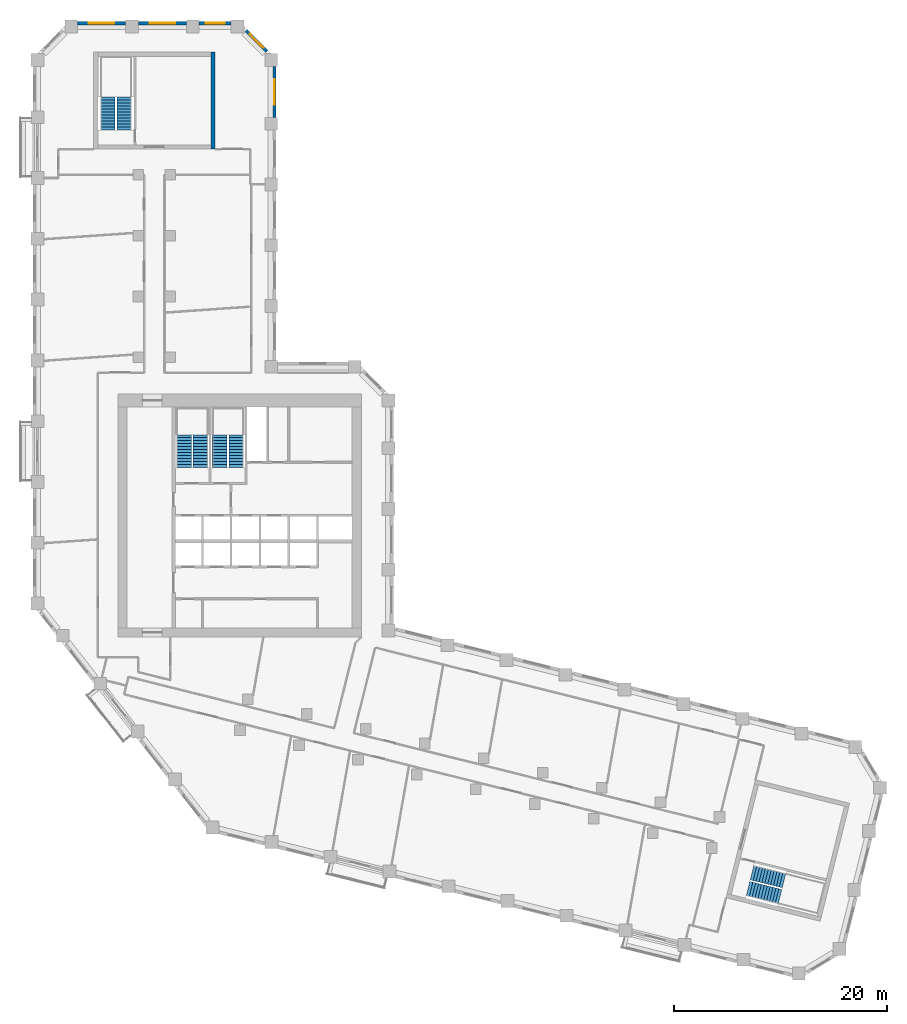
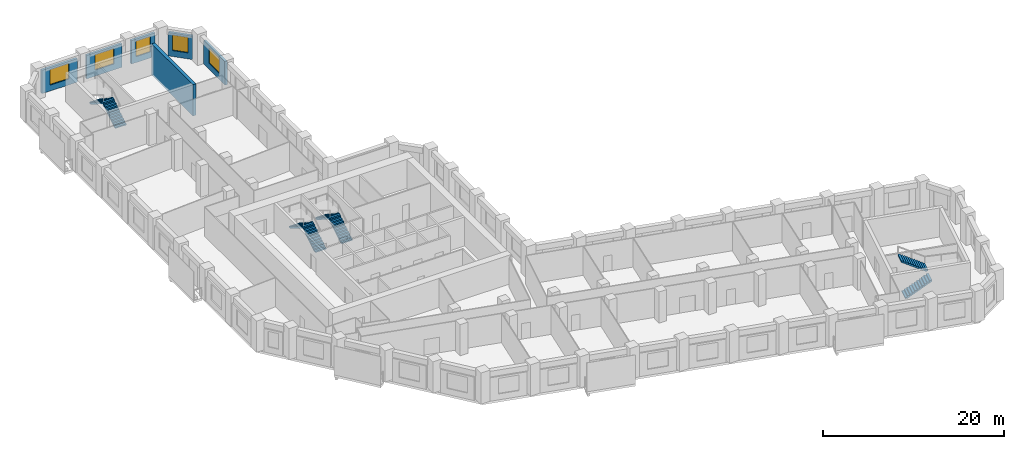
# One storey, part 9 of 10: 8 stair flights, 6 walls, 5 windows, 5 openings, 4 elements without a shape of their own.
"""IFC4 building model written with IfcOpenShell, lengths in metres."""

from ifc_helpers import new_model, si_unit, direction, frame, frame_2d, origin, place, context, subcontext, project, spatial, polyline, rectangle, outline, extrude, material, layer, layer_set, type_object, element, fill, aggregate, save


model = new_model("IFC4")

# Units and contexts
model_context = context("Model", 3, precision=1e-05, world=origin(), true_north=direction((0.0, 1.0)))
body_context = subcontext(model_context, "Body", "Model", "MODEL_VIEW")
ifc_project = project(units=[si_unit("LENGTHUNIT", "METRE"), si_unit("AREAUNIT", "SQUARE_METRE"), si_unit("VOLUMEUNIT", "CUBIC_METRE"), si_unit("PLANEANGLEUNIT", "RADIAN"), si_unit("MASSUNIT", "GRAM", prefix="KILO")], contexts=[model_context])

# Site, building, storey
site_placement = place(None, origin())
site = spatial("IfcSite", under=ifc_project, at=site_placement, CompositionType="ELEMENT")
building_placement = place(site_placement, origin())
building = spatial("IfcBuilding", under=site, at=building_placement, Name="Meshkara Civic Tower", CompositionType="ELEMENT")
storey_placement = place(building_placement, frame((0.0, 0.0, 199.199951171875)))
storey = spatial("IfcBuildingStorey", under=building, at=storey_placement, Name="L45", CompositionType="ELEMENT", Elevation=199.199951171875)

# Wall, opening, window
ifc_material_1 = material(Name="Insulated infill panel with bronze anodised aluminium cladding", Category="aluminium")
ifc_layer_1 = layer(ifc_material_1, 0.300048828125)
ifc_layer_set_1 = layer_set([ifc_layer_1], Name="EXTERNAL INFILL WALL 300")
wall_type_1 = type_object("IfcWallType", Name="EXTERNAL INFILL WALL 300", PredefinedType="SOLIDWALL", material=ifc_layer_set_1)
wall_1_placement = place(storey_placement, frame((22.64990234375, 62.85009765625, 0.0), z_axis=(0.0, 0.0, 1.0), x_axis=(0.0, 1.0, 0.0)))
wall_1 = element("IfcWall", 1, at=wall_1_placement, inside=storey, type_object=wall_type_1, Name="External wall", PredefinedType="SOLIDWALL", context=body_context, shape_type="SweptSolid", body=[
    extrude(rectangle(XDim=4.763916015625, YDim=0.300048828125, at=frame_2d((2.3818359375, 0.0))), origin(), (0.0, 0.0, 1.0), 3.150146484375),
])
opening_1_placement = place(wall_1_placement, frame((1.181884765625, 0.0, 0.800048828125)))
opening_1 = element("IfcOpeningElement", 2, at=opening_1_placement, cuts=wall_1, Name="Opening W7", PredefinedType="OPENING", context=body_context, shape_type="SweptSolid", body=[
    extrude(rectangle(XDim=2.39990234375, YDim=2.10009765625, at=frame_2d((1.199951171875, 1.050048828125))), frame((0.0, 0.159912109375, 0.0), z_axis=(0.0, -1.0, 0.0), x_axis=(1.0, 0.0, 0.0)), (0.0, 0.0, 1.0), 0.320068359375),
])
ifc_material_2 = material(Name="Tinted double glazing", Category="glass")
window_type_1 = type_object("IfcWindowType", Name="WINDOW 2400x2100", PartitioningType="DOUBLE_PANEL_VERTICAL", PredefinedType="WINDOW", material=ifc_material_2)
window_1_placement = place(opening_1_placement, origin())
window_1 = element("IfcWindow", 3, at=window_1_placement, inside=storey, type_object=window_type_1, Name="Window", OverallHeight=2.10009765625, OverallWidth=2.39990234375, PartitioningType="DOUBLE_PANEL_VERTICAL", PredefinedType="WINDOW", context=body_context, shape_type="SweptSolid", body=[
    extrude(rectangle(XDim=2.39990234375, YDim=2.10009765625, at=frame_2d((1.199951171875, 1.050048828125))), frame((0.0, 0.030029296875, 0.0), z_axis=(0.0, -1.0, 0.0), x_axis=(1.0, 0.0, 0.0)), (0.0, 0.0, 1.0), 0.06005859375),
])
fill(opening_1, window_1)

wall_2_placement = place(storey_placement, frame((21.9619140625, 69.02587890625, 0.0), z_axis=(0.0, 0.0, 1.0), x_axis=(-0.707062649074, 0.707150910545, 0.0)))
wall_2 = element("IfcWall", 4, at=wall_2_placement, inside=storey, type_object=wall_type_1, Name="External wall", PredefinedType="SOLIDWALL", context=body_context, shape_type="SweptSolid", body=[
    extrude(rectangle(XDim=2.76611328125, YDim=0.300048828125, at=frame_2d((1.383056640625, 0.0))), origin(), (0.0, 0.0, 1.0), 3.150146484375),
])
opening_2_placement = place(wall_2_placement, frame((0.48291015625, 0.0, 0.800048828125)))
opening_2 = element("IfcOpeningElement", 5, at=opening_2_placement, cuts=wall_2, Name="Opening W9", PredefinedType="OPENING", context=body_context, shape_type="SweptSolid", body=[
    extrude(rectangle(XDim=1.800048828125, YDim=2.10009765625, at=frame_2d((0.89990234375, 1.050048828125))), frame((0.0, 0.159912109375, 0.0), z_axis=(0.0, -1.0, 0.0), x_axis=(1.0, 0.0, 0.0)), (0.0, 0.0, 1.0), 0.320068359375),
])
ifc_material_3 = material(Name="Tinted double glazing", Category="glass")
window_type_2 = type_object("IfcWindowType", Name="WINDOW 1800x2100", PartitioningType="DOUBLE_PANEL_VERTICAL", PredefinedType="WINDOW", material=ifc_material_3)
window_2_placement = place(opening_2_placement, origin())
window_2 = element("IfcWindow", 6, at=window_2_placement, inside=storey, type_object=window_type_2, Name="Window", OverallHeight=2.10009765625, OverallWidth=1.800048828125, PartitioningType="DOUBLE_PANEL_VERTICAL", PredefinedType="WINDOW", context=body_context, shape_type="SweptSolid", body=[
    extrude(rectangle(XDim=1.800048828125, YDim=2.10009765625, at=frame_2d((0.89990234375, 1.050048828125))), frame((0.0, 0.030029296875, 0.0), z_axis=(0.0, -1.0, 0.0), x_axis=(1.0, 0.0, 0.0)), (0.0, 0.0, 1.0), 0.06005859375),
])
fill(opening_2, window_2)

wall_3_placement = place(storey_placement, frame((18.593994140625, 71.669921875, 0.0), z_axis=(0.0, 0.0, 1.0), x_axis=(-1.0, 0.0, 0.0)))
wall_3 = element("IfcWall", 7, at=wall_3_placement, inside=storey, type_object=wall_type_1, Name="External wall", PredefinedType="SOLIDWALL", context=body_context, shape_type="SweptSolid", body=[
    extrude(rectangle(XDim=2.988037109375, YDim=0.300048828125, at=frame_2d((1.494140625, 0.0))), origin(), (0.0, 0.0, 1.0), 3.150146484375),
])
opening_3_placement = place(wall_3_placement, frame((0.593994140625, 0.0, 0.800048828125)))
opening_3 = element("IfcOpeningElement", 8, at=opening_3_placement, cuts=wall_3, Name="Opening W9", PredefinedType="OPENING", context=body_context, shape_type="SweptSolid", body=[
    extrude(rectangle(XDim=1.800048828125, YDim=2.10009765625, at=frame_2d((0.89990234375, 1.050048828125))), frame((0.0, 0.159912109375, 0.0), z_axis=(0.0, -1.0, 0.0), x_axis=(1.0, 0.0, 0.0)), (0.0, 0.0, 1.0), 0.320068359375),
])
window_3_placement = place(opening_3_placement, origin())
window_3 = element("IfcWindow", 9, at=window_3_placement, inside=storey, type_object=window_type_2, Name="Window", OverallHeight=2.10009765625, OverallWidth=1.800048828125, PartitioningType="DOUBLE_PANEL_VERTICAL", PredefinedType="WINDOW", context=body_context, shape_type="SweptSolid", body=[
    extrude(rectangle(XDim=1.800048828125, YDim=2.10009765625, at=frame_2d((0.89990234375, 1.050048828125))), frame((0.0, 0.030029296875, 0.0), z_axis=(0.0, -1.0, 0.0), x_axis=(1.0, 0.0, 0.0)), (0.0, 0.0, 1.0), 0.06005859375),
])
fill(opening_3, window_3)

wall_4_placement = place(storey_placement, frame((14.406005859375, 71.669921875, 0.0), z_axis=(0.0, 0.0, 1.0), x_axis=(-1.0, 0.0, 0.0)))
wall_4 = element("IfcWall", 10, at=wall_4_placement, inside=storey, type_object=wall_type_1, Name="External wall", PredefinedType="SOLIDWALL", context=body_context, shape_type="SweptSolid", body=[
    extrude(rectangle(XDim=4.5, YDim=0.300048828125, at=frame_2d((2.25, 0.0))), origin(), (0.0, 0.0, 1.0), 3.150146484375),
])
opening_4_placement = place(wall_4_placement, frame((1.050048828125, 0.0, 0.800048828125)))
opening_4 = element("IfcOpeningElement", 11, at=opening_4_placement, cuts=wall_4, Name="Opening W7", PredefinedType="OPENING", context=body_context, shape_type="SweptSolid", body=[
    extrude(rectangle(XDim=2.39990234375, YDim=2.10009765625, at=frame_2d((1.199951171875, 1.050048828125))), frame((0.0, 0.159912109375, 0.0), z_axis=(0.0, -1.0, 0.0), x_axis=(1.0, 0.0, 0.0)), (0.0, 0.0, 1.0), 0.320068359375),
])
window_4_placement = place(opening_4_placement, origin())
window_4 = element("IfcWindow", 12, at=window_4_placement, inside=storey, type_object=window_type_1, Name="Window", OverallHeight=2.10009765625, OverallWidth=2.39990234375, PartitioningType="DOUBLE_PANEL_VERTICAL", PredefinedType="WINDOW", context=body_context, shape_type="SweptSolid", body=[
    extrude(rectangle(XDim=2.39990234375, YDim=2.10009765625, at=frame_2d((1.199951171875, 1.050048828125))), frame((0.0, 0.030029296875, 0.0), z_axis=(0.0, -1.0, 0.0), x_axis=(1.0, 0.0, 0.0)), (0.0, 0.0, 1.0), 0.06005859375),
])
fill(opening_4, window_4)

wall_5_placement = place(storey_placement, frame((8.7060546875, 71.669921875, 0.0), z_axis=(0.0, 0.0, 1.0), x_axis=(-1.0, 0.0, 0.0)))
wall_5 = element("IfcWall", 13, at=wall_5_placement, inside=storey, type_object=wall_type_1, Name="External wall", PredefinedType="SOLIDWALL", context=body_context, shape_type="SweptSolid", body=[
    extrude(rectangle(XDim=4.5, YDim=0.300048828125, at=frame_2d((2.25, 0.0))), origin(), (0.0, 0.0, 1.0), 3.150146484375),
])
opening_5_placement = place(wall_5_placement, frame((1.050048828125, 0.0, 0.800048828125)))
opening_5 = element("IfcOpeningElement", 14, at=opening_5_placement, cuts=wall_5, Name="Opening W7", PredefinedType="OPENING", context=body_context, shape_type="SweptSolid", body=[
    extrude(rectangle(XDim=2.39990234375, YDim=2.10009765625, at=frame_2d((1.199951171875, 1.050048828125))), frame((0.0, 0.159912109375, 0.0), z_axis=(0.0, -1.0, 0.0), x_axis=(1.0, 0.0, 0.0)), (0.0, 0.0, 1.0), 0.320068359375),
])
window_5_placement = place(opening_5_placement, origin())
window_5 = element("IfcWindow", 15, at=window_5_placement, inside=storey, type_object=window_type_1, Name="Window", OverallHeight=2.10009765625, OverallWidth=2.39990234375, PartitioningType="DOUBLE_PANEL_VERTICAL", PredefinedType="WINDOW", context=body_context, shape_type="SweptSolid", body=[
    extrude(rectangle(XDim=2.39990234375, YDim=2.10009765625, at=frame_2d((1.199951171875, 1.050048828125))), frame((0.0, 0.030029296875, 0.0), z_axis=(0.0, -1.0, 0.0), x_axis=(1.0, 0.0, 0.0)), (0.0, 0.0, 1.0), 0.06005859375),
])
fill(opening_5, window_5)

# Wall
ifc_material_4 = material(Name="Concrete C70", Category="concrete")
ifc_layer_2 = layer(ifc_material_4, 0.39990234375)
ifc_layer_set_2 = layer_set([ifc_layer_2], Name="End core ring wall 400 C70")
wall_type_2 = type_object("IfcWallType", Name="End core ring wall 400 C70", PredefinedType="SHEAR", material=ifc_layer_set_2)
wall_6_placement = place(storey_placement, frame((16.89990234375, 59.8701171875, -0.300048828125), z_axis=(0.0, 0.0, 1.0), x_axis=(0.0, 1.0, 0.0)))
element("IfcWall", 16, at=wall_6_placement, inside=storey, type_object=wall_type_2, Name="L45-C024", PredefinedType="SHEAR", context=body_context, shape_type="SweptSolid", body=[
    extrude(rectangle(XDim=9.099853515625, YDim=0.39990234375, at=frame_2d((4.5498046875, 0.0))), origin(), (0.0, 0.0, 1.0), 4.2001953125),
])

# Stair, stair flights
ifc_material_5 = material(Name="Precast concrete C40/50", Category="concrete")
stair_type = type_object("IfcStairType", Name="Exit stair half-turn 24 risers precast", PredefinedType="HALF_TURN_STAIR", material=ifc_material_5)
stair_1_placement = place(storey_placement, origin())
stair_1 = element("IfcStair", 17, at=stair_1_placement, inside=storey, type_object=stair_type, Name="L45 exit stair 1", PredefinedType="HALF_TURN_STAIR")
ifc_material_6 = material(Name="Precast concrete C40/50", Category="concrete")
stair_flight_type = type_object("IfcStairFlightType", Name="Exit stair flight 12 risers precast", PredefinedType="STRAIGHT", material=ifc_material_6)
stair_flight_1_placement = place(storey_placement, frame((15.72509765625, 30.0, 0.0), z_axis=(0.0, 0.0, 1.0), x_axis=(0.0, 1.0, 0.0)))
stair_flight_1 = element("IfcStairFlight", 18, at=stair_flight_1_placement, type_object=stair_flight_type, Name="ST1 flight 1", NumberOfRisers=12, NumberOfTreads=11, PredefinedType="STRAIGHT", RiserHeight=0.175, TreadLength=0.28, context=body_context, shape_type="SweptSolid", body=[
    extrude(outline(polyline([(0.0, 0.0), (0.0, 0.175048828125), (0.280029296875, 0.175048828125), (0.280029296875, 0.35009765625), (0.56005859375, 0.35009765625), (0.56005859375, 0.52490234375), (0.840087890625, 0.52490234375), (0.840087890625, 0.699951171875), (1.1201171875, 0.699951171875), (1.1201171875, 0.875), (1.39990234375, 0.875), (1.39990234375, 1.050048828125), (1.679931640625, 1.050048828125), (1.679931640625, 1.22509765625), (1.9599609375, 1.22509765625), (1.9599609375, 1.39990234375), (2.239990234375, 1.39990234375), (2.239990234375, 1.574951171875), (2.52001953125, 1.574951171875), (2.52001953125, 1.75), (2.800048828125, 1.75), (2.800048828125, 1.925048828125), (3.080078125, 1.925048828125), (3.080078125, 2.10009765625), (3.080078125, 1.748291015625), (0.28271484375, 0.0), (0.0, 0.0)])), frame((0.0, 0.699951171875, 0.0), z_axis=(0.0, -1.0, 0.0), x_axis=(1.0, 0.0, 0.0)), (0.0, 0.0, 1.0), 1.39990234375),
])
stair_flight_2_placement = place(storey_placement, frame((14.175048828125, 33.080078125, 2.10009765625), z_axis=(0.0, 0.0, 1.0), x_axis=(0.0, -1.0, 0.0)))
stair_flight_2 = element("IfcStairFlight", 19, at=stair_flight_2_placement, type_object=stair_flight_type, Name="ST1 flight 2", NumberOfRisers=12, NumberOfTreads=11, PredefinedType="STRAIGHT", RiserHeight=0.175, TreadLength=0.28, context=body_context, shape_type="SweptSolid", body=[
    extrude(outline(polyline([(0.0, 0.0), (0.0, 0.175048828125), (0.280029296875, 0.175048828125), (0.280029296875, 0.35009765625), (0.56005859375, 0.35009765625), (0.56005859375, 0.52490234375), (0.840087890625, 0.52490234375), (0.840087890625, 0.699951171875), (1.1201171875, 0.699951171875), (1.1201171875, 0.875), (1.39990234375, 0.875), (1.39990234375, 1.050048828125), (1.679931640625, 1.050048828125), (1.679931640625, 1.22509765625), (1.9599609375, 1.22509765625), (1.9599609375, 1.39990234375), (2.239990234375, 1.39990234375), (2.239990234375, 1.574951171875), (2.52001953125, 1.574951171875), (2.52001953125, 1.75), (2.800048828125, 1.75), (2.800048828125, 1.925048828125), (3.080078125, 1.925048828125), (3.080078125, 2.10009765625), (3.080078125, 1.748291015625), (0.28271484375, 0.0), (0.0, 0.0)])), frame((0.0, 0.699951171875, 0.0), z_axis=(0.0, -1.0, 0.0), x_axis=(1.0, 0.0, 0.0)), (0.0, 0.0, 1.0), 1.39990234375),
])
aggregate(stair_1, [stair_flight_1, stair_flight_2])

stair_2_placement = place(storey_placement, origin())
stair_2 = element("IfcStair", 20, at=stair_2_placement, inside=storey, type_object=stair_type, Name="L45 exit stair 2", PredefinedType="HALF_TURN_STAIR")
stair_flight_3_placement = place(storey_placement, frame((19.074951171875, 30.0, 0.0), z_axis=(0.0, 0.0, 1.0), x_axis=(0.0, 1.0, 0.0)))
stair_flight_3 = element("IfcStairFlight", 21, at=stair_flight_3_placement, type_object=stair_flight_type, Name="ST2 flight 1", NumberOfRisers=12, NumberOfTreads=11, PredefinedType="STRAIGHT", RiserHeight=0.175, TreadLength=0.28, context=body_context, shape_type="SweptSolid", body=[
    extrude(outline(polyline([(0.0, 0.0), (0.0, 0.175048828125), (0.280029296875, 0.175048828125), (0.280029296875, 0.35009765625), (0.56005859375, 0.35009765625), (0.56005859375, 0.52490234375), (0.840087890625, 0.52490234375), (0.840087890625, 0.699951171875), (1.1201171875, 0.699951171875), (1.1201171875, 0.875), (1.39990234375, 0.875), (1.39990234375, 1.050048828125), (1.679931640625, 1.050048828125), (1.679931640625, 1.22509765625), (1.9599609375, 1.22509765625), (1.9599609375, 1.39990234375), (2.239990234375, 1.39990234375), (2.239990234375, 1.574951171875), (2.52001953125, 1.574951171875), (2.52001953125, 1.75), (2.800048828125, 1.75), (2.800048828125, 1.925048828125), (3.080078125, 1.925048828125), (3.080078125, 2.10009765625), (3.080078125, 1.748291015625), (0.28271484375, 0.0), (0.0, 0.0)])), frame((0.0, 0.699951171875, 0.0), z_axis=(0.0, -1.0, 0.0), x_axis=(1.0, 0.0, 0.0)), (0.0, 0.0, 1.0), 1.39990234375),
])
stair_flight_4_placement = place(storey_placement, frame((17.52490234375, 33.080078125, 2.10009765625), z_axis=(0.0, 0.0, 1.0), x_axis=(0.0, -1.0, 0.0)))
stair_flight_4 = element("IfcStairFlight", 22, at=stair_flight_4_placement, type_object=stair_flight_type, Name="ST2 flight 2", NumberOfRisers=12, NumberOfTreads=11, PredefinedType="STRAIGHT", RiserHeight=0.175, TreadLength=0.28, context=body_context, shape_type="SweptSolid", body=[
    extrude(outline(polyline([(0.0, 0.0), (0.0, 0.175048828125), (0.280029296875, 0.175048828125), (0.280029296875, 0.35009765625), (0.56005859375, 0.35009765625), (0.56005859375, 0.52490234375), (0.840087890625, 0.52490234375), (0.840087890625, 0.699951171875), (1.1201171875, 0.699951171875), (1.1201171875, 0.875), (1.39990234375, 0.875), (1.39990234375, 1.050048828125), (1.679931640625, 1.050048828125), (1.679931640625, 1.22509765625), (1.9599609375, 1.22509765625), (1.9599609375, 1.39990234375), (2.239990234375, 1.39990234375), (2.239990234375, 1.574951171875), (2.52001953125, 1.574951171875), (2.52001953125, 1.75), (2.800048828125, 1.75), (2.800048828125, 1.925048828125), (3.080078125, 1.925048828125), (3.080078125, 2.10009765625), (3.080078125, 1.748291015625), (0.28271484375, 0.0), (0.0, 0.0)])), frame((0.0, 0.699951171875, 0.0), z_axis=(0.0, -1.0, 0.0), x_axis=(1.0, 0.0, 0.0)), (0.0, 0.0, 1.0), 1.39990234375),
])
aggregate(stair_2, [stair_flight_3, stair_flight_4])

stair_3_placement = place(storey_placement, origin())
stair_3 = element("IfcStair", 23, at=stair_3_placement, inside=storey, type_object=stair_type, Name="L45 exit stair A from L35", PredefinedType="HALF_TURN_STAIR")
stair_flight_5_placement = place(storey_placement, frame((8.574951171875, 61.669921875, 0.0), z_axis=(0.0, 0.0, 1.0), x_axis=(0.0, 1.0, 0.0)))
stair_flight_5 = element("IfcStairFlight", 24, at=stair_flight_5_placement, type_object=stair_flight_type, Name="ESA3 flight 1", NumberOfRisers=12, NumberOfTreads=11, PredefinedType="STRAIGHT", RiserHeight=0.175, TreadLength=0.28, context=body_context, shape_type="SweptSolid", body=[
    extrude(outline(polyline([(0.0, 0.0), (0.0, 0.175048828125), (0.280029296875, 0.175048828125), (0.280029296875, 0.35009765625), (0.56005859375, 0.35009765625), (0.56005859375, 0.52490234375), (0.840087890625, 0.52490234375), (0.840087890625, 0.699951171875), (1.1201171875, 0.699951171875), (1.1201171875, 0.875), (1.39990234375, 0.875), (1.39990234375, 1.050048828125), (1.679931640625, 1.050048828125), (1.679931640625, 1.22509765625), (1.9599609375, 1.22509765625), (1.9599609375, 1.39990234375), (2.239990234375, 1.39990234375), (2.239990234375, 1.574951171875), (2.52001953125, 1.574951171875), (2.52001953125, 1.75), (2.800048828125, 1.75), (2.800048828125, 1.925048828125), (3.080078125, 1.925048828125), (3.080078125, 2.10009765625), (3.080078125, 1.748291015625), (0.28271484375, 0.0), (0.0, 0.0)])), frame((0.0, 0.699951171875, 0.0), z_axis=(0.0, -1.0, 0.0), x_axis=(1.0, 0.0, 0.0)), (0.0, 0.0, 1.0), 1.39990234375),
])
stair_flight_6_placement = place(storey_placement, frame((7.02490234375, 64.75, 2.10009765625), z_axis=(0.0, 0.0, 1.0), x_axis=(0.0, -1.0, 0.0)))
stair_flight_6 = element("IfcStairFlight", 25, at=stair_flight_6_placement, type_object=stair_flight_type, Name="ESA3 flight 2", NumberOfRisers=12, NumberOfTreads=11, PredefinedType="STRAIGHT", RiserHeight=0.175, TreadLength=0.28, context=body_context, shape_type="SweptSolid", body=[
    extrude(outline(polyline([(0.0, 0.0), (0.0, 0.175048828125), (0.280029296875, 0.175048828125), (0.280029296875, 0.35009765625), (0.56005859375, 0.35009765625), (0.56005859375, 0.52490234375), (0.840087890625, 0.52490234375), (0.840087890625, 0.699951171875), (1.1201171875, 0.699951171875), (1.1201171875, 0.875), (1.39990234375, 0.875), (1.39990234375, 1.050048828125), (1.679931640625, 1.050048828125), (1.679931640625, 1.22509765625), (1.9599609375, 1.22509765625), (1.9599609375, 1.39990234375), (2.239990234375, 1.39990234375), (2.239990234375, 1.574951171875), (2.52001953125, 1.574951171875), (2.52001953125, 1.75), (2.800048828125, 1.75), (2.800048828125, 1.925048828125), (3.080078125, 1.925048828125), (3.080078125, 2.10009765625), (3.080078125, 1.748291015625), (0.28271484375, 0.0), (0.0, 0.0)])), frame((0.0, 0.699951171875, 0.0), z_axis=(0.0, -1.0, 0.0), x_axis=(1.0, 0.0, 0.0)), (0.0, 0.0, 1.0), 1.39990234375),
])
aggregate(stair_3, [stair_flight_5, stair_flight_6])

stair_4_placement = place(storey_placement, origin())
stair_4 = element("IfcStair", 26, at=stair_4_placement, inside=storey, type_object=stair_type, Name="L45 exit stair B from L35", PredefinedType="HALF_TURN_STAIR")
stair_flight_7_placement = place(storey_placement, frame((67.068115234375, -9.4814453125, 0.0), z_axis=(0.0, 0.0, 1.0), x_axis=(0.9703185901, -0.241830175344, 0.0)))
stair_flight_7 = element("IfcStairFlight", 27, at=stair_flight_7_placement, type_object=stair_flight_type, Name="ESB3 flight 1", NumberOfRisers=12, NumberOfTreads=11, PredefinedType="STRAIGHT", RiserHeight=0.175, TreadLength=0.28, context=body_context, shape_type="SweptSolid", body=[
    extrude(outline(polyline([(0.0, 0.0), (0.0, 0.175048828125), (0.280029296875, 0.175048828125), (0.280029296875, 0.35009765625), (0.56005859375, 0.35009765625), (0.56005859375, 0.52490234375), (0.840087890625, 0.52490234375), (0.840087890625, 0.699951171875), (1.1201171875, 0.699951171875), (1.1201171875, 0.875), (1.39990234375, 0.875), (1.39990234375, 1.050048828125), (1.679931640625, 1.050048828125), (1.679931640625, 1.22509765625), (1.9599609375, 1.22509765625), (1.9599609375, 1.39990234375), (2.239990234375, 1.39990234375), (2.239990234375, 1.574951171875), (2.52001953125, 1.574951171875), (2.52001953125, 1.75), (2.800048828125, 1.75), (2.800048828125, 1.925048828125), (3.080078125, 1.925048828125), (3.080078125, 2.10009765625), (3.080078125, 1.748291015625), (0.28271484375, 0.0), (0.0, 0.0)])), frame((0.0, 0.699951171875, 0.0), z_axis=(0.0, -1.0, 0.0), x_axis=(1.0, 0.0, 0.0)), (0.0, 0.0, 1.0), 1.39990234375),
])
stair_flight_8_placement = place(storey_placement, frame((70.431396484375, -8.722412109375, 2.10009765625), z_axis=(0.0, 0.0, 1.0), x_axis=(-0.9703185901, 0.241830175344, 0.0)))
stair_flight_8 = element("IfcStairFlight", 28, at=stair_flight_8_placement, type_object=stair_flight_type, Name="ESB3 flight 2", NumberOfRisers=12, NumberOfTreads=11, PredefinedType="STRAIGHT", RiserHeight=0.175, TreadLength=0.28, context=body_context, shape_type="SweptSolid", body=[
    extrude(outline(polyline([(0.0, 0.0), (0.0, 0.175048828125), (0.280029296875, 0.175048828125), (0.280029296875, 0.35009765625), (0.56005859375, 0.35009765625), (0.56005859375, 0.52490234375), (0.840087890625, 0.52490234375), (0.840087890625, 0.699951171875), (1.1201171875, 0.699951171875), (1.1201171875, 0.875), (1.39990234375, 0.875), (1.39990234375, 1.050048828125), (1.679931640625, 1.050048828125), (1.679931640625, 1.22509765625), (1.9599609375, 1.22509765625), (1.9599609375, 1.39990234375), (2.239990234375, 1.39990234375), (2.239990234375, 1.574951171875), (2.52001953125, 1.574951171875), (2.52001953125, 1.75), (2.800048828125, 1.75), (2.800048828125, 1.925048828125), (3.080078125, 1.925048828125), (3.080078125, 2.10009765625), (3.080078125, 1.748291015625), (0.28271484375, 0.0), (0.0, 0.0)])), frame((0.0, 0.699951171875, 0.0), z_axis=(0.0, -1.0, 0.0), x_axis=(1.0, 0.0, 0.0)), (0.0, 0.0, 1.0), 1.39990234375),
])
aggregate(stair_4, [stair_flight_7, stair_flight_8])

save(model, "model.ifc")
